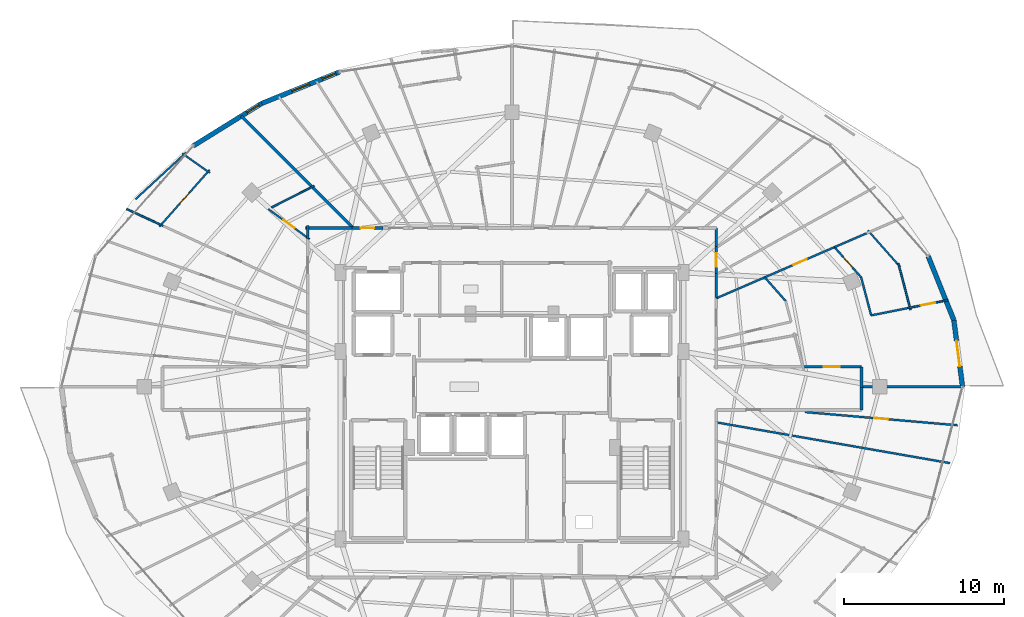
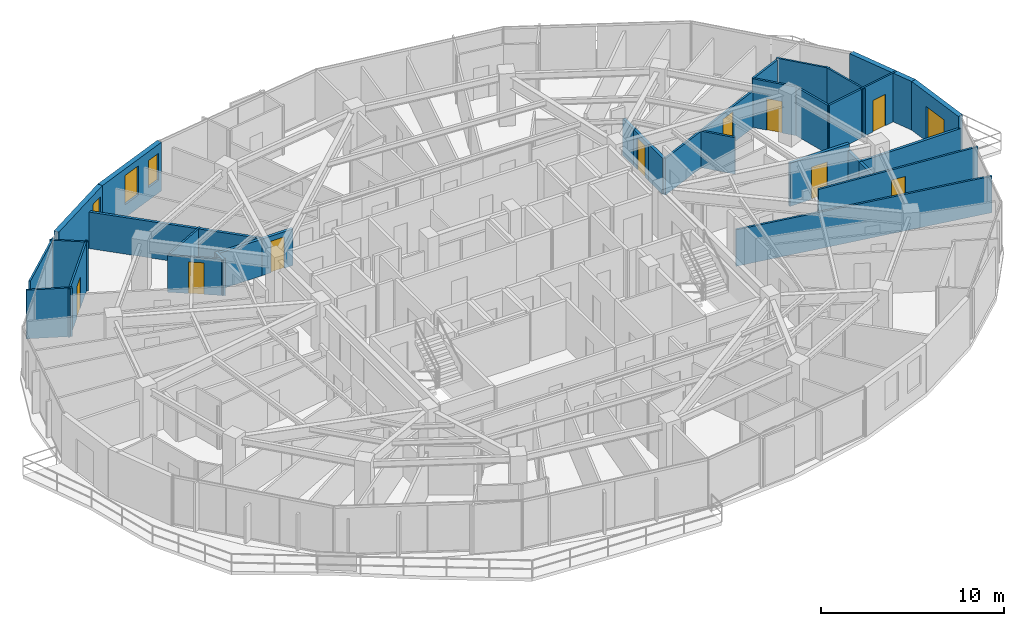
# One storey, part 29 of 34: 33 walls, 10 doors, 3 windows, 13 openings.
"""IFC4 building model written with IfcOpenShell, lengths in metres."""

from ifc_helpers import new_model, si_unit, direction, frame, frame_2d, origin, place, context, subcontext, project, spatial, rectangle, extrude, material, layer, layer_set, type_object, element, fill, save


model = new_model("IFC4")

# Units and contexts
model_context = context("Model", 3, precision=1e-05, world=origin(), true_north=direction((0.0, 1.0)))
body_context = subcontext(model_context, "Body", "Model", "MODEL_VIEW")
ifc_project = project(units=[si_unit("LENGTHUNIT", "METRE"), si_unit("AREAUNIT", "SQUARE_METRE"), si_unit("VOLUMEUNIT", "CUBIC_METRE"), si_unit("PLANEANGLEUNIT", "RADIAN"), si_unit("MASSUNIT", "GRAM", prefix="KILO")], contexts=[model_context])

# Site, building, storey
site_placement = place(None, origin())
site = spatial("IfcSite", under=ifc_project, at=site_placement, CompositionType="ELEMENT")
building_placement = place(site_placement, origin())
building = spatial("IfcBuilding", under=site, at=building_placement, Name="Vorneva Point Tower", CompositionType="ELEMENT")
storey_placement = place(building_placement, frame((0.0, 0.0, 182.60009765625)))
storey = spatial("IfcBuildingStorey", under=building, at=storey_placement, Name="L49", CompositionType="ELEMENT", Elevation=182.60009765625)

# Wall, opening, door
ifc_material_1 = material(Name="Precast concrete B50 (C40/50)", Category="concrete")
ifc_layer_1 = layer(ifc_material_1, 0.300048828125)
ifc_layer_set_1 = layer_set([ifc_layer_1], Name="Precast concrete B50 (C40/50)")
wall_type_1 = type_object("IfcWallType", Name="WL-EXT-300", PredefinedType="STANDARD", material=ifc_layer_set_1)
wall_1_placement = place(storey_placement, frame((66.22998046875, 26.0, 0.0), z_axis=(0.0, 0.0, 1.0), x_axis=(-0.129147853268, 0.991625348605, 0.0)))
wall_1 = element("IfcWall", 1, at=wall_1_placement, inside=storey, type_object=wall_type_1, Name="L49 Pale-Metal Facade Spandrel Wall 01.1", PredefinedType="STANDARD", context=body_context, shape_type="SweptSolid", body=[
    extrude(rectangle(XDim=4.200439453125, YDim=0.300048828125, at=frame_2d((2.10009765625, 0.0))), origin(), (0.0, 0.0, 1.0), 3.239990234375),
])
opening_1_placement = place(wall_1_placement, frame((1.30029296875, 0.0, 0.0)))
opening_1 = element("IfcOpeningElement", 2, at=opening_1_placement, cuts=wall_1, Name="Opening BD-01", PredefinedType="OPENING", context=body_context, shape_type="SweptSolid", body=[
    extrude(rectangle(XDim=1.60009765625, YDim=2.300048828125, at=frame_2d((0.800048828125, 1.14990234375))), frame((0.0, 0.1650390625, 0.0), z_axis=(0.0, -1.0, 0.0), x_axis=(1.0, 0.0, 0.0)), (0.0, 0.0, 1.0), 0.329833984375),
])
ifc_material_2 = material(Name="Pale anodised aluminium", Category="aluminium")
door_type_1 = type_object("IfcDoorType", Name="DR-BAL-1600", OperationType="SLIDING_TO_LEFT", PredefinedType="DOOR", material=ifc_material_2)
door_1_placement = place(opening_1_placement, origin())
door_1 = element("IfcDoor", 3, at=door_1_placement, inside=storey, type_object=door_type_1, Name="L49 Balcony Terrace Access Door 01", OperationType="SLIDING_TO_LEFT", OverallHeight=2.300048828125, OverallWidth=1.60009765625, PredefinedType="DOOR", context=body_context, shape_type="SweptSolid", body=[
    extrude(rectangle(XDim=1.60009765625, YDim=2.300048828125, at=frame_2d((0.800048828125, 1.14990234375))), frame((0.0, 0.02490234375, 0.0), z_axis=(0.0, -1.0, 0.0), x_axis=(1.0, 0.0, 0.0)), (0.0, 0.0, 1.0), 0.050048828125),
])
fill(opening_1, door_1)

# Wall
wall_2_placement = place(storey_placement, frame((65.6875, 30.165283203125, 0.0), z_axis=(0.0, 0.0, 1.0), x_axis=(-0.372268409848, 0.928125116043, 0.0)))
element("IfcWall", 4, at=wall_2_placement, inside=storey, type_object=wall_type_1, Name="L49 Pale-Metal Facade Spandrel Wall 01.2", PredefinedType="STANDARD", context=body_context, shape_type="SweptSolid", body=[
    extrude(rectangle(XDim=4.315185546875, YDim=0.300048828125, at=frame_2d((2.15771484375, 0.0))), origin(), (0.0, 0.0, 1.0), 3.239990234375),
])

# Wall, openings, windows
wall_3_placement = place(storey_placement, frame((27.19677734375, 45.724853515625, 0.0), z_axis=(0.0, 0.0, 1.0), x_axis=(-0.927111094334, -0.374786630981, 0.0)))
wall_3 = element("IfcWall", 5, at=wall_3_placement, inside=storey, type_object=wall_type_1, Name="L49 Pale-Metal Facade Spandrel Wall 06.1", PredefinedType="STANDARD", context=body_context, shape_type="SweptSolid", body=[
    extrude(rectangle(XDim=5.26416015625, YDim=0.300048828125, at=frame_2d((2.632080078125, 0.0))), origin(), (0.0, 0.0, 1.0), 3.239990234375),
])
opening_2_placement = place(wall_3_placement, frame((0.25830078125, 0.0, 0.85009765625)))
opening_2 = element("IfcOpeningElement", 6, at=opening_2_placement, cuts=wall_3, Name="Opening W-08", PredefinedType="OPENING", context=body_context, shape_type="SweptSolid", body=[
    extrude(rectangle(XDim=0.89990234375, YDim=1.800048828125, at=frame_2d((0.449951171875, 0.89990234375))), frame((0.0, 0.1650390625, 0.0), z_axis=(0.0, -1.0, 0.0), x_axis=(1.0, 0.0, 0.0)), (0.0, 0.0, 1.0), 0.329833984375),
])
opening_3_placement = place(wall_3_placement, frame((2.031982421875, 0.0, 0.85009765625)))
opening_3 = element("IfcOpeningElement", 7, at=opening_3_placement, cuts=wall_3, Name="Opening W-04", PredefinedType="OPENING", context=body_context, shape_type="SweptSolid", body=[
    extrude(rectangle(XDim=1.199951171875, YDim=1.949951171875, at=frame_2d((0.60009765625, 0.97509765625))), frame((0.0, 0.1650390625, 0.0), z_axis=(0.0, -1.0, 0.0), x_axis=(1.0, 0.0, 0.0)), (0.0, 0.0, 1.0), 0.329833984375),
])
ifc_material_3 = material(Name="Double low-e laminated glass IGU", Category="glass")
window_type_1 = type_object("IfcWindowType", Name="WN-CAS-900", PartitioningType="SINGLE_PANEL", PredefinedType="WINDOW", material=ifc_material_3)
window_1_placement = place(opening_2_placement, origin())
window_1 = element("IfcWindow", 8, at=window_1_placement, inside=storey, type_object=window_type_1, Name="L49 Dwelling Vision Window 01", OverallHeight=1.800048828125, OverallWidth=0.89990234375, PartitioningType="SINGLE_PANEL", PredefinedType="WINDOW", context=body_context, shape_type="SweptSolid", body=[
    extrude(rectangle(XDim=0.89990234375, YDim=1.800048828125, at=frame_2d((0.449951171875, 0.89990234375))), frame((0.0, 0.030029296875, 0.0), z_axis=(0.0, -1.0, 0.0), x_axis=(1.0, 0.0, 0.0)), (0.0, 0.0, 1.0), 0.06005859375),
])
fill(opening_2, window_1)
window_type_2 = type_object("IfcWindowType", Name="WN-RES-1200", PartitioningType="SINGLE_PANEL", PredefinedType="WINDOW", material=ifc_material_3)
window_2_placement = place(opening_3_placement, origin())
window_2 = element("IfcWindow", 9, at=window_2_placement, inside=storey, type_object=window_type_2, Name="L49 Dwelling Vision Window 02", OverallHeight=1.949951171875, OverallWidth=1.199951171875, PartitioningType="SINGLE_PANEL", PredefinedType="WINDOW", context=body_context, shape_type="SweptSolid", body=[
    extrude(rectangle(XDim=1.199951171875, YDim=1.949951171875, at=frame_2d((0.60009765625, 0.97509765625))), frame((0.0, 0.030029296875, 0.0), z_axis=(0.0, -1.0, 0.0), x_axis=(1.0, 0.0, 0.0)), (0.0, 0.0, 1.0), 0.06005859375),
])
fill(opening_3, window_2)

# Wall, opening, window
wall_4_placement = place(storey_placement, frame((22.31640625, 43.751953125, 0.0), z_axis=(0.0, 0.0, 1.0), x_axis=(-0.849647657754, -0.527350791858, 0.0)))
wall_4 = element("IfcWall", 10, at=wall_4_placement, inside=storey, type_object=wall_type_1, Name="L49 Pale-Metal Facade Spandrel Wall 06.2", PredefinedType="STANDARD", context=body_context, shape_type="SweptSolid", body=[
    extrude(rectangle(XDim=5.03515625, YDim=0.300048828125, at=frame_2d((2.517578125, 0.0))), origin(), (0.0, 0.0, 1.0), 3.239990234375),
])
opening_4_placement = place(wall_4_placement, frame((0.19921875, 0.0, 0.85009765625)))
opening_4 = element("IfcOpeningElement", 11, at=opening_4_placement, cuts=wall_4, Name="Opening W-08", PredefinedType="OPENING", context=body_context, shape_type="SweptSolid", body=[
    extrude(rectangle(XDim=0.89990234375, YDim=1.800048828125, at=frame_2d((0.449951171875, 0.89990234375))), frame((0.0, 0.1650390625, 0.0), z_axis=(0.0, -1.0, 0.0), x_axis=(1.0, 0.0, 0.0)), (0.0, 0.0, 1.0), 0.329833984375),
])
window_3_placement = place(opening_4_placement, origin())
window_3 = element("IfcWindow", 12, at=window_3_placement, inside=storey, type_object=window_type_1, Name="L49 Dwelling Vision Window 03", OverallHeight=1.800048828125, OverallWidth=0.89990234375, PartitioningType="SINGLE_PANEL", PredefinedType="WINDOW", context=body_context, shape_type="SweptSolid", body=[
    extrude(rectangle(XDim=0.89990234375, YDim=1.800048828125, at=frame_2d((0.449951171875, 0.89990234375))), frame((0.0, 0.030029296875, 0.0), z_axis=(0.0, -1.0, 0.0), x_axis=(1.0, 0.0, 0.0)), (0.0, 0.0, 1.0), 0.06005859375),
])
fill(opening_4, window_3)

# Wall, opening, door
ifc_material_4 = material(Name="Fire-rated acoustic gypsum stud partition", Category="gypsum")
ifc_layer_2 = layer(ifc_material_4, 0.110107421875)
ifc_layer_set_2 = layer_set([ifc_layer_2], Name="Fire-rated acoustic gypsum stud partition")
wall_type_2 = type_object("IfcWallType", Name="WL-PART-110", PredefinedType="PARTITIONING", material=ifc_layer_set_2)
wall_5_placement = place(storey_placement, frame((65.327392578125, 31.42724609375, 0.0), z_axis=(0.0, 0.0, 1.0), x_axis=(-0.980809558385, -0.194968228644, 0.0)))
wall_5 = element("IfcWall", 13, at=wall_5_placement, inside=storey, type_object=wall_type_2, Name="L49 Interior Partition 094", PredefinedType="PARTITIONING", context=body_context, shape_type="SweptSolid", body=[
    extrude(rectangle(XDim=2.5771484375, YDim=0.110107421875, at=frame_2d((1.28857421875, 0.0))), origin(), (0.0, 0.0, 1.0), 3.239990234375),
])
opening_5_placement = place(wall_5_placement, frame((0.83837890625, 0.0, 0.0)))
opening_5 = element("IfcOpeningElement", 14, at=opening_5_placement, cuts=wall_5, Name="Opening ID-01", PredefinedType="OPENING", context=body_context, shape_type="SweptSolid", body=[
    extrude(rectangle(XDim=0.89990234375, YDim=2.10009765625, at=frame_2d((0.449951171875, 1.050048828125))), frame((0.0, 0.06982421875, 0.0), z_axis=(0.0, -1.0, 0.0), x_axis=(1.0, 0.0, 0.0)), (0.0, 0.0, 1.0), 0.139892578125),
])
ifc_material_5 = material(Name="Engineered oak fire-rated door leaf", Category="wood")
door_type_2 = type_object("IfcDoorType", Name="DR-ROOM-900", OperationType="NOTDEFINED", PredefinedType="DOOR", material=ifc_material_5)
door_2_placement = place(opening_5_placement, origin())
door_2 = element("IfcDoor", 15, at=door_2_placement, inside=storey, type_object=door_type_2, Name="L49 Door Living and Dining Room L49-01 / Kitchen L49-01", OperationType="SINGLE_SWING_LEFT", OverallHeight=2.10009765625, OverallWidth=0.89990234375, PredefinedType="DOOR", context=body_context, shape_type="SweptSolid", body=[
    extrude(rectangle(XDim=0.89990234375, YDim=2.10009765625, at=frame_2d((0.449951171875, 1.050048828125))), frame((0.0, 0.02490234375, 0.0), z_axis=(0.0, -1.0, 0.0), x_axis=(1.0, 0.0, 0.0)), (0.0, 0.0, 1.0), 0.050048828125),
])
fill(opening_5, door_2)

# Walls
wall_6_placement = place(storey_placement, frame((60.29833984375, 35.7939453125, 0.0), z_axis=(0.0, 0.0, 1.0), x_axis=(0.662277588726, -0.74925856383, 0.0)))
element("IfcWall", 16, at=wall_6_placement, inside=storey, type_object=wall_type_2, Name="L49 Interior Partition 102", PredefinedType="PARTITIONING", context=body_context, shape_type="SweptSolid", body=[
    extrude(rectangle(XDim=3.076171875, YDim=0.110107421875, at=frame_2d((1.5380859375, 0.0))), origin(), (0.0, 0.0, 1.0), 3.239990234375),
])
wall_7_placement = place(storey_placement, frame((62.20751953125, 33.7294921875, 0.0), z_axis=(0.0, 0.0, 1.0), x_axis=(0.254058335644, -0.967188896798, 0.0)))
element("IfcWall", 17, at=wall_7_placement, inside=storey, type_object=wall_type_2, Name="L49 Interior Partition 103", PredefinedType="PARTITIONING", context=body_context, shape_type="SweptSolid", body=[
    extrude(rectangle(XDim=3.01171875, YDim=0.110107421875, at=frame_2d((1.505859375, 0.0))), origin(), (0.0, 0.0, 1.0), 3.239990234375),
])

# Wall, opening, door
wall_8_placement = place(storey_placement, frame((25.31298828125, 35.24755859375, 0.0), z_axis=(0.0, 0.0, 1.0), x_axis=(-0.807968083988, 0.58922625133, 0.0)))
wall_8 = element("IfcWall", 18, at=wall_8_placement, inside=storey, type_object=wall_type_2, Name="L49 Interior Partition 131", PredefinedType="PARTITIONING", context=body_context, shape_type="SweptSolid", body=[
    extrude(rectangle(XDim=3.192138671875, YDim=0.110107421875, at=frame_2d((1.59619140625, 0.0))), origin(), (0.0, 0.0, 1.0), 2.431884765625),
])
opening_6_placement = place(wall_8_placement, frame((1.171142578125, 0.0, 0.0)))
opening_6 = element("IfcOpeningElement", 19, at=opening_6_placement, cuts=wall_8, Name="Opening ID-02", PredefinedType="OPENING", context=body_context, shape_type="SweptSolid", body=[
    extrude(rectangle(XDim=0.85009765625, YDim=2.10009765625, at=frame_2d((0.425048828125, 1.050048828125))), frame((0.0, 0.06982421875, 0.0), z_axis=(0.0, -1.0, 0.0), x_axis=(1.0, 0.0, 0.0)), (0.0, 0.0, 1.0), 0.139892578125),
])
door_type_3 = type_object("IfcDoorType", Name="DR-BATH-850", OperationType="NOTDEFINED", PredefinedType="DOOR", material=ifc_material_5)
door_3_placement = place(opening_6_placement, origin())
door_3 = element("IfcDoor", 20, at=door_3_placement, inside=storey, type_object=door_type_3, Name="L49 Door Living and Dining Room L49-04 / Bathroom L49-04", OperationType="SINGLE_SWING_RIGHT", OverallHeight=2.10009765625, OverallWidth=0.85009765625, PredefinedType="DOOR", context=body_context, shape_type="SweptSolid", body=[
    extrude(rectangle(XDim=0.85009765625, YDim=2.10009765625, at=frame_2d((0.425048828125, 1.050048828125))), frame((0.0, 0.02490234375, 0.0), z_axis=(0.0, -1.0, 0.0), x_axis=(1.0, 0.0, 0.0)), (0.0, 0.0, 1.0), 0.050048828125),
])
fill(opening_6, door_3)

# Walls
wall_9_placement = place(storey_placement, frame((22.941162109375, 37.23095703125, 0.0), z_axis=(0.0, 0.0, 1.0), x_axis=(0.892507731149, 0.451032094024, 0.0)))
element("IfcWall", 21, at=wall_9_placement, inside=storey, type_object=wall_type_2, Name="L49 Interior Partition 132", PredefinedType="PARTITIONING", context=body_context, shape_type="SweptSolid", body=[
    extrude(rectangle(XDim=2.989013671875, YDim=0.110107421875, at=frame_2d((1.49462890625, 0.0))), origin(), (0.0, 0.0, 1.0), 2.431884765625),
])
wall_10_placement = place(storey_placement, frame((17.32763671875, 40.6259765625, 0.0), z_axis=(0.0, 0.0, 1.0), x_axis=(0.816262906602, -0.577680592807, 0.0)))
element("IfcWall", 22, at=wall_10_placement, inside=storey, type_object=wall_type_2, Name="L49 Interior Partition 133", PredefinedType="PARTITIONING", context=body_context, shape_type="SweptSolid", body=[
    extrude(rectangle(XDim=2.132568359375, YDim=0.110107421875, at=frame_2d((1.06640625, 0.0))), origin(), (0.0, 0.0, 1.0), 3.239990234375),
])

# Wall, opening, door
wall_11_placement = place(storey_placement, frame((19.046630859375, 39.579833984375, 0.0), z_axis=(0.0, 0.0, 1.0), x_axis=(-0.662189711464, -0.749336230294, 0.0)))
wall_11 = element("IfcWall", 23, at=wall_11_placement, inside=storey, type_object=wall_type_2, Name="L49 Interior Partition 134", PredefinedType="PARTITIONING", context=body_context, shape_type="SweptSolid", body=[
    extrude(rectangle(XDim=4.731689453125, YDim=0.110107421875, at=frame_2d((2.36572265625, 0.0))), origin(), (0.0, 0.0, 1.0), 3.239990234375),
])
opening_7_placement = place(wall_11_placement, frame((1.916015625, 0.0, 0.0)))
opening_7 = element("IfcOpeningElement", 24, at=opening_7_placement, cuts=wall_11, Name="Opening ID-01", PredefinedType="OPENING", context=body_context, shape_type="SweptSolid", body=[
    extrude(rectangle(XDim=0.89990234375, YDim=2.10009765625, at=frame_2d((0.449951171875, 1.050048828125))), frame((0.0, 0.06982421875, 0.0), z_axis=(0.0, -1.0, 0.0), x_axis=(1.0, 0.0, 0.0)), (0.0, 0.0, 1.0), 0.139892578125),
])
door_4_placement = place(opening_7_placement, origin())
door_4 = element("IfcDoor", 25, at=door_4_placement, inside=storey, type_object=door_type_2, Name="L49 Door Living and Dining Room L49-04 / Kitchen L49-04", OperationType="SINGLE_SWING_LEFT", OverallHeight=2.10009765625, OverallWidth=0.89990234375, PredefinedType="DOOR", context=body_context, shape_type="SweptSolid", body=[
    extrude(rectangle(XDim=0.89990234375, YDim=2.10009765625, at=frame_2d((0.449951171875, 1.050048828125))), frame((0.0, 0.02490234375, 0.0), z_axis=(0.0, -1.0, 0.0), x_axis=(1.0, 0.0, 0.0)), (0.0, 0.0, 1.0), 0.050048828125),
])
fill(opening_7, door_4)

# Walls
wall_12_placement = place(storey_placement, frame((17.58984375, 40.681884765625, 0.0), z_axis=(0.0, 0.0, 1.0), x_axis=(-0.734861902375, -0.678216768031, 0.0)))
element("IfcWall", 26, at=wall_12_placement, inside=storey, type_object=wall_type_2, Name="L49 Interior Partition 135", PredefinedType="PARTITIONING", context=body_context, shape_type="SweptSolid", body=[
    extrude(rectangle(XDim=4.322998046875, YDim=0.110107421875, at=frame_2d((2.16162109375, 0.0))), origin(), (0.0, 0.0, 1.0), 3.239990234375),
])
wall_13_placement = place(storey_placement, frame((13.846923828125, 37.134521484375, 0.0), z_axis=(0.0, 0.0, 1.0), x_axis=(0.908101251341, -0.418750662462, 0.0)))
element("IfcWall", 27, at=wall_13_placement, inside=storey, type_object=wall_type_2, Name="L49 Interior Partition 137", PredefinedType="PARTITIONING", context=body_context, shape_type="SweptSolid", body=[
    extrude(rectangle(XDim=2.517578125, YDim=0.110107421875, at=frame_2d((1.2587890625, 0.0))), origin(), (0.0, 0.0, 1.0), 3.239990234375),
])
ifc_layer_3 = layer(ifc_material_4, 0.125)
ifc_layer_set_3 = layer_set([ifc_layer_3], Name="Fire-rated acoustic gypsum stud partition")
wall_type_3 = type_object("IfcWallType", Name="WL-PART-125", PredefinedType="PARTITIONING", material=ifc_layer_set_3)
wall_14_placement = place(storey_placement, frame((53.837890625, 32.85302734375, 0.0), z_axis=(0.0, 0.0, 1.0), x_axis=(0.662046229388, -0.749463001191, 0.0)))
element("IfcWall", 28, at=wall_14_placement, inside=storey, type_object=wall_type_3, Name="L49 Interior Partition 088", PredefinedType="PARTITIONING", context=body_context, shape_type="SweptSolid", body=[
    extrude(rectangle(XDim=1.977294921875, YDim=0.125, at=frame_2d((0.98876953125, 0.0))), origin(), (0.0, 0.0, 1.0), 2.431884765625),
])
wall_15_placement = place(storey_placement, frame((53.89599609375, 32.87890625, 0.0), z_axis=(0.0, 0.0, 1.0), x_axis=(-0.917742985146, -0.39717478925, 0.0)))
element("IfcWall", 29, at=wall_15_placement, inside=storey, type_object=wall_type_3, Name="L49 Interior Partition 091", PredefinedType="PARTITIONING", context=body_context, shape_type="SweptSolid", body=[
    extrude(rectangle(XDim=3.37353515625, YDim=0.125, at=frame_2d((1.686767578125, 0.0))), origin(), (0.0, 0.0, 1.0), 2.431884765625),
])
wall_16_placement = place(storey_placement, frame((62.7998046875, 30.9248046875, 0.0), z_axis=(0.0, 0.0, 1.0), x_axis=(-0.980840670114, -0.194811652245, 0.0)))
element("IfcWall", 30, at=wall_16_placement, inside=storey, type_object=wall_type_3, Name="L49 Interior Partition 096", PredefinedType="PARTITIONING", context=body_context, shape_type="SweptSolid", body=[
    extrude(rectangle(XDim=2.33984375, YDim=0.125, at=frame_2d((1.169921875, 0.0))), origin(), (0.0, 0.0, 1.0), 3.239990234375),
])
wall_17_placement = place(storey_placement, frame((60.5048828125, 30.468994140625, 0.0), z_axis=(0.0, 0.0, 1.0), x_axis=(-0.254702896388, 0.967019355841, 0.0)))
element("IfcWall", 31, at=wall_17_placement, inside=storey, type_object=wall_type_3, Name="L49 Interior Partition 097", PredefinedType="PARTITIONING", context=body_context, shape_type="SweptSolid", body=[
    extrude(rectangle(XDim=2.46533203125, YDim=0.125, at=frame_2d((1.232666015625, 0.0))), origin(), (0.0, 0.0, 1.0), 3.239990234375),
])

# Wall, opening, door
wall_18_placement = place(storey_placement, frame((59.876953125, 32.85302734375, 0.0), z_axis=(0.0, 0.0, 1.0), x_axis=(-0.661957655691, 0.749541234404, 0.0)))
wall_18 = element("IfcWall", 32, at=wall_18_placement, inside=storey, type_object=wall_type_3, Name="L49 Interior Partition 098", PredefinedType="PARTITIONING", context=body_context, shape_type="SweptSolid", body=[
    extrude(rectangle(XDim=2.522705078125, YDim=0.125, at=frame_2d((1.26123046875, 0.0))), origin(), (0.0, 0.0, 1.0), 3.239990234375),
])
opening_8_placement = place(wall_18_placement, frame((0.811279296875, 0.0, 0.0)))
opening_8 = element("IfcOpeningElement", 33, at=opening_8_placement, cuts=wall_18, Name="Opening ID-01", PredefinedType="OPENING", context=body_context, shape_type="SweptSolid", body=[
    extrude(rectangle(XDim=0.89990234375, YDim=2.10009765625, at=frame_2d((0.449951171875, 1.050048828125))), frame((0.0, 0.077392578125, 0.0), z_axis=(0.0, -1.0, 0.0), x_axis=(1.0, 0.0, 0.0)), (0.0, 0.0, 1.0), 0.15478515625),
])
door_5_placement = place(opening_8_placement, origin())
door_5 = element("IfcDoor", 34, at=door_5_placement, inside=storey, type_object=door_type_2, Name="L49 Door Living and Dining Room L49-01 / Study Room L49-01", OperationType="SINGLE_SWING_RIGHT", OverallHeight=2.10009765625, OverallWidth=0.89990234375, PredefinedType="DOOR", context=body_context, shape_type="SweptSolid", body=[
    extrude(rectangle(XDim=0.89990234375, YDim=2.10009765625, at=frame_2d((0.449951171875, 1.050048828125))), frame((0.0, 0.02490234375, 0.0), z_axis=(0.0, -1.0, 0.0), x_axis=(1.0, 0.0, 0.0)), (0.0, 0.0, 1.0), 0.050048828125),
])
fill(opening_8, door_5)

# Wall
wall_19_placement = place(storey_placement, frame((58.20703125, 34.743896484375, 0.0), z_axis=(0.0, 0.0, 1.0), x_axis=(0.917748928086, 0.397161056748, 0.0)))
element("IfcWall", 35, at=wall_19_placement, inside=storey, type_object=wall_type_3, Name="L49 Interior Partition 099", PredefinedType="PARTITIONING", context=body_context, shape_type="SweptSolid", body=[
    extrude(rectangle(XDim=2.1796875, YDim=0.125, at=frame_2d((1.08984375, 0.0))), origin(), (0.0, 0.0, 1.0), 3.239990234375),
])

# Wall, opening, door
wall_20_placement = place(storey_placement, frame((58.206787109375, 34.744140625, 0.0), z_axis=(0.0, 0.0, 1.0), x_axis=(-0.917771035239, -0.397109968241, 0.0)))
wall_20 = element("IfcWall", 36, at=wall_20_placement, inside=storey, type_object=wall_type_3, Name="L49 Interior Partition 100", PredefinedType="PARTITIONING", context=body_context, shape_type="SweptSolid", body=[
    extrude(rectangle(XDim=4.697021484375, YDim=0.125, at=frame_2d((2.3486328125, 0.0))), origin(), (0.0, 0.0, 1.0), 2.431884765625),
])
opening_9_placement = place(wall_20_placement, frame((1.8984375, 0.0, 0.0)))
opening_9 = element("IfcOpeningElement", 37, at=opening_9_placement, cuts=wall_20, Name="Opening ID-01", PredefinedType="OPENING", context=body_context, shape_type="SweptSolid", body=[
    extrude(rectangle(XDim=0.89990234375, YDim=2.10009765625, at=frame_2d((0.449951171875, 1.050048828125))), frame((0.0, 0.077392578125, 0.0), z_axis=(0.0, -1.0, 0.0), x_axis=(1.0, 0.0, 0.0)), (0.0, 0.0, 1.0), 0.15478515625),
])
door_6_placement = place(opening_9_placement, origin())
door_6 = element("IfcDoor", 38, at=door_6_placement, inside=storey, type_object=door_type_2, Name="L49 Door Living and Dining Room L49-01 / Master Bedroom L49-01.1", OperationType="SINGLE_SWING_LEFT", OverallHeight=2.10009765625, OverallWidth=0.89990234375, PredefinedType="DOOR", context=body_context, shape_type="SweptSolid", body=[
    extrude(rectangle(XDim=0.89990234375, YDim=2.10009765625, at=frame_2d((0.449951171875, 1.050048828125))), frame((0.0, 0.02490234375, 0.0), z_axis=(0.0, -1.0, 0.0), x_axis=(1.0, 0.0, 0.0)), (0.0, 0.0, 1.0), 0.050048828125),
])
fill(opening_9, door_6)

# Wall
wall_21_placement = place(storey_placement, frame((65.43505859375, 21.2119140625, 0.0), z_axis=(0.0, 0.0, 1.0), x_axis=(-0.985109541297, 0.171927867563, 0.0)))
element("IfcWall", 39, at=wall_21_placement, inside=storey, type_object=wall_type_3, Name="L49 Interior Partition 187", PredefinedType="PARTITIONING", context=body_context, shape_type="SweptSolid", body=[
    extrude(rectangle(XDim=14.856201171875, YDim=0.125, at=frame_2d((7.42822265625, 0.0))), origin(), (0.0, 0.0, 1.0), 2.431884765625),
])

# Wall, opening, door
wall_22_placement = place(storey_placement, frame((65.9140625, 23.58203125, 0.0), z_axis=(0.0, 0.0, 1.0), x_axis=(-0.99626832952, 0.086309997072, 0.0)))
wall_22 = element("IfcWall", 40, at=wall_22_placement, inside=storey, type_object=wall_type_3, Name="L49 Interior Partition 188", PredefinedType="PARTITIONING", context=body_context, shape_type="SweptSolid", body=[
    extrude(rectangle(XDim=9.592041015625, YDim=0.125, at=frame_2d((4.7958984375, 0.0))), origin(), (0.0, 0.0, 1.0), 2.77392578125),
])
opening_10_placement = place(wall_22_placement, frame((4.37109375, 0.0, 0.0)))
opening_10 = element("IfcOpeningElement", 41, at=opening_10_placement, cuts=wall_22, Name="Opening ID-02", PredefinedType="OPENING", context=body_context, shape_type="SweptSolid", body=[
    extrude(rectangle(XDim=0.85009765625, YDim=2.10009765625, at=frame_2d((0.425048828125, 1.050048828125))), frame((0.0, 0.077392578125, 0.0), z_axis=(0.0, -1.0, 0.0), x_axis=(1.0, 0.0, 0.0)), (0.0, 0.0, 1.0), 0.15478515625),
])
door_7_placement = place(opening_10_placement, origin())
door_7 = element("IfcDoor", 42, at=door_7_placement, inside=storey, type_object=door_type_3, Name="L49 Access Door Bedroom L49-08.4", OperationType="SINGLE_SWING_RIGHT", OverallHeight=2.10009765625, OverallWidth=0.85009765625, PredefinedType="DOOR", context=body_context, shape_type="SweptSolid", body=[
    extrude(rectangle(XDim=0.85009765625, YDim=2.10009765625, at=frame_2d((0.425048828125, 1.050048828125))), frame((0.0, 0.02490234375, 0.0), z_axis=(0.0, -1.0, 0.0), x_axis=(1.0, 0.0, 0.0)), (0.0, 0.0, 1.0), 0.050048828125),
])
fill(opening_10, door_7)

# Walls
ifc_layer_4 = layer(ifc_material_4, 0.159912109375)
ifc_layer_set_4 = layer_set([ifc_layer_4], Name="Fire-rated acoustic gypsum stud partition")
wall_type_4 = type_object("IfcWallType", Name="WL-PART-160", PredefinedType="PARTITIONING", material=ifc_layer_set_4)
wall_23_placement = place(storey_placement, frame((59.89990234375, 26.0, 0.0), z_axis=(0.0, 0.0, 1.0), x_axis=(1.0, 0.0, 0.0)))
element("IfcWall", 43, at=wall_23_placement, inside=storey, type_object=wall_type_4, Name="L49 Interior Partition 101", PredefinedType="PARTITIONING", context=body_context, shape_type="SweptSolid", body=[
    extrude(rectangle(XDim=6.3291015625, YDim=0.159912109375, at=frame_2d((3.16455078125, 0.0))), origin(), (0.0, 0.0, 1.0), 2.431884765625),
])
wall_24_placement = place(storey_placement, frame((21.041015625, 42.958984375, 0.0), z_axis=(0.0, 0.0, 1.0), x_axis=(0.707106781187, -0.707106781187, 0.0)))
element("IfcWall", 44, at=wall_24_placement, inside=storey, type_object=wall_type_4, Name="L49 Interior Partition 130", PredefinedType="PARTITIONING", context=body_context, shape_type="SweptSolid", body=[
    extrude(rectangle(XDim=9.912353515625, YDim=0.159912109375, at=frame_2d((4.9560546875, 0.0))), origin(), (0.0, 0.0, 1.0), 2.431884765625),
])
ifc_material_6 = material(Name="Autoclaved aerated concrete blockwork", Category="masonry")
ifc_layer_5 = layer(ifc_material_6, 0.179931640625)
ifc_layer_set_5 = layer_set([ifc_layer_5], Name="Autoclaved aerated concrete blockwork")
wall_type_5 = type_object("IfcWallType", Name="WL-PART-180", PredefinedType="PARTITIONING", material=ifc_layer_set_5)
wall_25_placement = place(storey_placement, frame((59.89990234375, 25.93994140625, 0.0), z_axis=(0.0, 0.0, 1.0), x_axis=(0.0, 1.0, 0.0)))
element("IfcWall", 45, at=wall_25_placement, inside=storey, type_object=wall_type_5, Name="L49 Interior Partition 026", PredefinedType="PARTITIONING", context=body_context, shape_type="SweptSolid", body=[
    extrude(rectangle(XDim=1.31005859375, YDim=0.179931640625, at=frame_2d((0.655029296875, 0.0))), origin(), (0.0, 0.0, 1.0), 2.431884765625),
])

# Wall, opening, door
wall_26_placement = place(storey_placement, frame((59.89990234375, 27.25, 0.0), z_axis=(0.0, 0.0, 1.0), x_axis=(-1.0, 0.0, 0.0)))
wall_26 = element("IfcWall", 46, at=wall_26_placement, inside=storey, type_object=wall_type_5, Name="L49 Interior Partition 027", PredefinedType="PARTITIONING", context=body_context, shape_type="SweptSolid", body=[
    extrude(rectangle(XDim=3.73095703125, YDim=0.179931640625, at=frame_2d((1.865478515625, 0.0))), origin(), (0.0, 0.0, 1.0), 2.8740234375),
])
opening_11_placement = place(wall_26_placement, frame((1.365478515625, 0.0, 0.0)))
opening_11 = element("IfcOpeningElement", 47, at=opening_11_placement, cuts=wall_26, Name="Opening UD-01", PredefinedType="OPENING", context=body_context, shape_type="SweptSolid", body=[
    extrude(rectangle(XDim=1.0, YDim=2.14990234375, at=frame_2d((0.5, 1.074951171875))), frame((0.0, 0.10498046875, 0.0), z_axis=(0.0, -1.0, 0.0), x_axis=(1.0, 0.0, 0.0)), (0.0, 0.0, 1.0), 0.209716796875),
])
door_type_4 = type_object("IfcDoorType", Name="DR-UNIT-1000", OperationType="NOTDEFINED", PredefinedType="DOOR", material=ifc_material_5)
door_8_placement = place(opening_11_placement, origin())
door_8 = element("IfcDoor", 48, at=door_8_placement, inside=storey, type_object=door_type_4, Name="L49 Door L49 Circulation Corridor / Living and Dining Room L49-01", OperationType="SINGLE_SWING_RIGHT", OverallHeight=2.14990234375, OverallWidth=1.0, PredefinedType="DOOR", context=body_context, shape_type="SweptSolid", body=[
    extrude(rectangle(XDim=1.0, YDim=2.14990234375, at=frame_2d((0.5, 1.074951171875))), frame((0.0, 0.02490234375, 0.0), z_axis=(0.0, -1.0, 0.0), x_axis=(1.0, 0.0, 0.0)), (0.0, 0.0, 1.0), 0.050048828125),
])
fill(opening_11, door_8)

# Wall
wall_27_placement = place(storey_placement, frame((50.800048828125, 31.60400390625, 0.0), z_axis=(0.0, 0.0, 1.0), x_axis=(0.0, 1.0, 0.0)))
element("IfcWall", 49, at=wall_27_placement, inside=storey, type_object=wall_type_5, Name="L49 Interior Partition 032", PredefinedType="PARTITIONING", context=body_context, shape_type="SweptSolid", body=[
    extrude(rectangle(XDim=1.5009765625, YDim=0.179931640625, at=frame_2d((0.75048828125, 0.0))), origin(), (0.0, 0.0, 1.0), 2.431884765625),
])

# Wall, opening, door
wall_28_placement = place(storey_placement, frame((50.800048828125, 33.10498046875, 0.0), z_axis=(0.0, 0.0, 1.0), x_axis=(0.0, 1.0, 0.0)))
wall_28 = element("IfcWall", 50, at=wall_28_placement, inside=storey, type_object=wall_type_5, Name="L49 Interior Partition 033", PredefinedType="PARTITIONING", context=body_context, shape_type="SweptSolid", body=[
    extrude(rectangle(XDim=1.6669921875, YDim=0.179931640625, at=frame_2d((0.83349609375, 0.0))), origin(), (0.0, 0.0, 1.0), 2.431884765625),
])
opening_12_placement = place(wall_28_placement, frame((0.408447265625, 0.0, 0.0)))
opening_12 = element("IfcOpeningElement", 51, at=opening_12_placement, cuts=wall_28, Name="Opening ID-02", PredefinedType="OPENING", context=body_context, shape_type="SweptSolid", body=[
    extrude(rectangle(XDim=0.85009765625, YDim=2.10009765625, at=frame_2d((0.425048828125, 1.050048828125))), frame((0.0, 0.10498046875, 0.0), z_axis=(0.0, -1.0, 0.0), x_axis=(1.0, 0.0, 0.0)), (0.0, 0.0, 1.0), 0.209716796875),
])
door_9_placement = place(opening_12_placement, origin())
door_9 = element("IfcDoor", 52, at=door_9_placement, inside=storey, type_object=door_type_3, Name="L49 Access Door L49 Circulation Corridor", OperationType="SINGLE_SWING_RIGHT", OverallHeight=2.10009765625, OverallWidth=0.85009765625, PredefinedType="DOOR", context=body_context, shape_type="SweptSolid", body=[
    extrude(rectangle(XDim=0.85009765625, YDim=2.10009765625, at=frame_2d((0.425048828125, 1.050048828125))), frame((0.0, 0.02490234375, 0.0), z_axis=(0.0, -1.0, 0.0), x_axis=(1.0, 0.0, 0.0)), (0.0, 0.0, 1.0), 0.050048828125),
])
fill(opening_12, door_9)

# Wall
wall_29_placement = place(storey_placement, frame((50.800048828125, 34.77197265625, 0.0), z_axis=(0.0, 0.0, 1.0), x_axis=(0.0, 1.0, 0.0)))
element("IfcWall", 53, at=wall_29_placement, inside=storey, type_object=wall_type_5, Name="L49 Interior Partition 034", PredefinedType="PARTITIONING", context=body_context, shape_type="SweptSolid", body=[
    extrude(rectangle(XDim=1.177978515625, YDim=0.179931640625, at=frame_2d((0.5888671875, 0.0))), origin(), (0.0, 0.0, 1.0), 2.431884765625),
])

# Wall, opening, door
wall_30_placement = place(storey_placement, frame((29.9189453125, 35.949951171875, 0.0), z_axis=(0.0, 0.0, 1.0), x_axis=(-1.0, 0.0, 0.0)))
wall_30 = element("IfcWall", 54, at=wall_30_placement, inside=storey, type_object=wall_type_5, Name="L49 Interior Partition 047", PredefinedType="PARTITIONING", context=body_context, shape_type="SweptSolid", body=[
    extrude(rectangle(XDim=1.953857421875, YDim=0.179931640625, at=frame_2d((0.97705078125, 0.0))), origin(), (0.0, 0.0, 1.0), 2.431884765625),
])
opening_13_placement = place(wall_30_placement, frame((0.552001953125, 0.0, 0.0)))
opening_13 = element("IfcOpeningElement", 55, at=opening_13_placement, cuts=wall_30, Name="Opening ID-02", PredefinedType="OPENING", context=body_context, shape_type="SweptSolid", body=[
    extrude(rectangle(XDim=0.85009765625, YDim=2.10009765625, at=frame_2d((0.425048828125, 1.050048828125))), frame((0.0, 0.10498046875, 0.0), z_axis=(0.0, -1.0, 0.0), x_axis=(1.0, 0.0, 0.0)), (0.0, 0.0, 1.0), 0.209716796875),
])
door_10_placement = place(opening_13_placement, origin())
door_10 = element("IfcDoor", 56, at=door_10_placement, inside=storey, type_object=door_type_3, Name="L49 Access Door L49 Circulation Corridor", OperationType="SINGLE_SWING_LEFT", OverallHeight=2.10009765625, OverallWidth=0.85009765625, PredefinedType="DOOR", context=body_context, shape_type="SweptSolid", body=[
    extrude(rectangle(XDim=0.85009765625, YDim=2.10009765625, at=frame_2d((0.425048828125, 1.050048828125))), frame((0.0, 0.02490234375, 0.0), z_axis=(0.0, -1.0, 0.0), x_axis=(1.0, 0.0, 0.0)), (0.0, 0.0, 1.0), 0.050048828125),
])
fill(opening_13, door_10)

# Walls
wall_31_placement = place(storey_placement, frame((28.10498046875, 35.949951171875, 0.0), z_axis=(0.0, 0.0, 1.0), x_axis=(-1.0, 0.0, 0.0)))
element("IfcWall", 57, at=wall_31_placement, inside=storey, type_object=wall_type_5, Name="L49 Interior Partition 049", PredefinedType="PARTITIONING", context=body_context, shape_type="SweptSolid", body=[
    extrude(rectangle(XDim=3.044921875, YDim=0.179931640625, at=frame_2d((1.5224609375, 0.0))), origin(), (0.0, 0.0, 1.0), 2.431884765625),
])
wall_32_placement = place(storey_placement, frame((25.199951171875, 36.090087890625, 0.0), z_axis=(0.0, 0.0, 1.0), x_axis=(0.0, -1.0, 0.0)))
element("IfcWall", 58, at=wall_32_placement, inside=storey, type_object=wall_type_5, Name="L49 Interior Partition 050", PredefinedType="PARTITIONING", context=body_context, shape_type="SweptSolid", body=[
    extrude(rectangle(XDim=0.826171875, YDim=0.179931640625, at=frame_2d((0.4130859375, 0.0))), origin(), (0.0, 0.0, 1.0), 2.431884765625),
])
wall_33_placement = place(storey_placement, frame((59.89990234375, 24.550048828125, 0.0), z_axis=(0.0, 0.0, 1.0), x_axis=(0.0, 1.0, 0.0)))
element("IfcWall", 59, at=wall_33_placement, inside=storey, type_object=wall_type_5, Name="L49 Interior Partition 087", PredefinedType="PARTITIONING", context=body_context, shape_type="SweptSolid", body=[
    extrude(rectangle(XDim=1.389892578125, YDim=0.179931640625, at=frame_2d((0.69482421875, 0.0))), origin(), (0.0, 0.0, 1.0), 2.431884765625),
])

save(model, "model.ifc")
